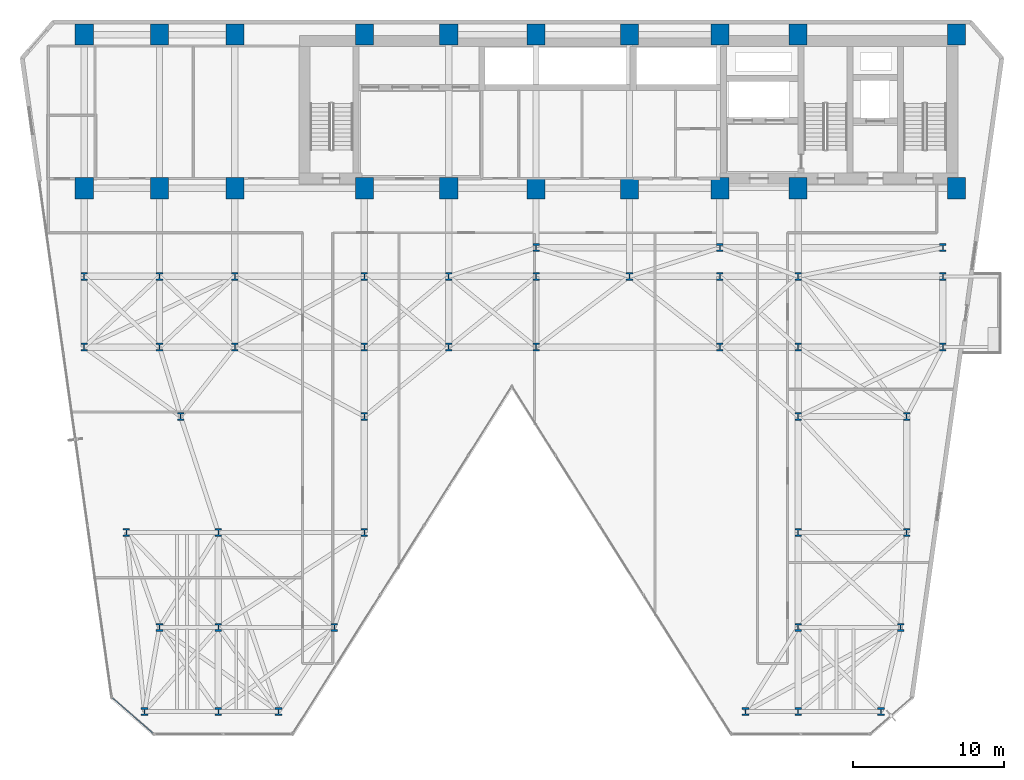
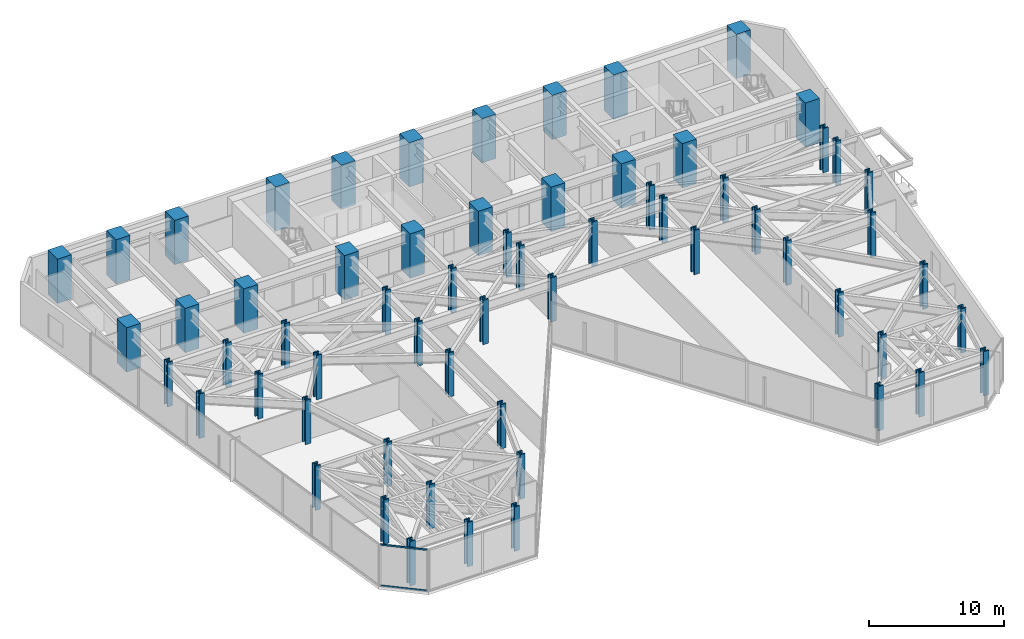
# One storey, part 1 of 25: 62 columns, 2 members, 1 element without a shape of its own.
"""IFC4 building model written with IfcOpenShell, lengths in metres."""

from ifc_helpers import new_model, si_unit, direction, frame, origin, origin_2d, place, context, subcontext, project, spatial, rectangle, hollow_rectangle, i_section, extrude, material, layer, layer_set, material_profile, profile_set, type_object, element, aggregate, save


model = new_model("IFC4")

# Units and contexts
model_context = context("Model", 3, precision=1e-05, world=origin(), true_north=direction((0.0, 1.0)))
body_context = subcontext(model_context, "Body", "Model", "MODEL_VIEW")
ifc_project = project(units=[si_unit("LENGTHUNIT", "METRE"), si_unit("AREAUNIT", "SQUARE_METRE"), si_unit("VOLUMEUNIT", "CUBIC_METRE"), si_unit("PLANEANGLEUNIT", "RADIAN"), si_unit("MASSUNIT", "GRAM", prefix="KILO")], contexts=[model_context])

# Site, building, storey
site_placement = place(None, origin())
site = spatial("IfcSite", under=ifc_project, at=site_placement, CompositionType="ELEMENT")
building_placement = place(site_placement, origin())
building = spatial("IfcBuilding", under=site, at=building_placement, Name="Kravanh Interchange Tower", CompositionType="ELEMENT")
storey_placement = place(building_placement, frame((0.0, 0.0, 49.5)))
storey = spatial("IfcBuildingStorey", under=building, at=storey_placement, Name="L11", CompositionType="ELEMENT", Elevation=49.5)

# Columns
ifc_material_1 = material(Name="Concrete C80/95", Category="concrete")
ifc_material_profile_1 = material_profile(ifc_material_1, rectangle(XDim=1.199951171875, YDim=1.39990234375, at=origin_2d()), Name="RC1200X1400")
ifc_profile_set_1 = profile_set([ifc_material_profile_1], Name="Concrete C80/95")
column_type_1 = type_object("IfcColumnType", Name="Column RC1200X1400 Concrete C80/95", PredefinedType="COLUMN", material=ifc_profile_set_1)
for number, where, z_axis, x_axis, name in (
    (1, (66.5, 47.550048828125, 0.0), (0.0, 0.0, 1.0), (1.0, 0.0, 0.0), "L11 Column CS01"),
    (2, (56.0, 47.550048828125, 0.0), (0.0, 0.0, 1.0), (1.0, 0.0, 0.0), "L11 Column CS02"),
    (3, (66.5, 37.35009765625, 0.0), (0.0, 0.0, 1.0), (1.0, 0.0, 0.0), "L11 Column CS03"),
    (4, (56.0, 37.35009765625, 0.0), (0.0, 0.0, 1.0), (1.0, 0.0, 0.0), "L11 Column CS04"),
    (5, (50.800048828125, 47.550048828125, 0.0), (0.0, 0.0, 1.0), (1.0, 0.0, 0.0), "L11 Column CS05"),
    (6, (50.800048828125, 37.35009765625, 0.0), (0.0, 0.0, 1.0), (1.0, 0.0, 0.0), "L11 Column CS06"),
    (7, (44.800048828125, 37.35009765625, 0.0), (0.0, 0.0, 1.0), (1.0, 0.0, 0.0), "L11 Column CS07"),
    (8, (44.800048828125, 47.550048828125, 0.0), (0.0, 0.0, 1.0), (1.0, 0.0, 0.0), "L11 Column CS08"),
    (9, (38.60009765625, 37.35009765625, 0.0), (0.0, 0.0, 1.0), (1.0, 0.0, 0.0), "L11 Column CS09"),
    (10, (38.60009765625, 47.550048828125, 0.0), (0.0, 0.0, 1.0), (1.0, 0.0, 0.0), "L11 Column CS10"),
    (11, (32.800048828125, 37.35009765625, 0.0), (0.0, 0.0, 1.0), (1.0, 0.0, 0.0), "L11 Column CS11"),
    (12, (32.800048828125, 47.550048828125, 0.0), (0.0, 0.0, 1.0), (1.0, 0.0, 0.0), "L11 Column CS12"),
    (13, (27.199951171875, 37.35009765625, 0.0), (0.0, 0.0, 1.0), (1.0, 0.0, 0.0), "L11 Column CS13"),
    (14, (27.199951171875, 47.550048828125, 0.0), (0.0, 0.0, 1.0), (1.0, 0.0, 0.0), "L11 Column CS14"),
    (15, (18.60009765625, 37.35009765625, 0.0), (0.0, 0.0, 1.0), (1.0, 0.0, 0.0), "L11 Column CS17"),
    (16, (18.60009765625, 47.550048828125, 0.0), (0.0, 0.0, 1.0), (1.0, 0.0, 0.0), "L11 Column CS18"),
    (17, (13.60009765625, 37.35009765625, 0.0), (0.0, 0.0, 1.0), (1.0, 0.0, 0.0), "L11 Column CS19"),
    (18, (13.60009765625, 47.550048828125, 0.0), (0.0, 0.0, 1.0), (1.0, 0.0, 0.0), "L11 Column CS20"),
    (19, (8.60009765625, 37.35009765625, 0.0), (0.0, 0.0, 1.0), (1.0, 0.0, 0.0), "L11 Column CS21"),
    (20, (8.60009765625, 47.550048828125, 0.0), (0.0, 0.0, 1.0), (1.0, 0.0, 0.0), "L11 Column CS22"),
):
    element("IfcColumn", number, at=place(storey_placement, frame(where, z_axis=z_axis, x_axis=x_axis)), inside=storey, type_object=column_type_1, Name=name, PredefinedType="COLUMN", context=body_context, shape_type="SweptSolid", body=[
        extrude(rectangle(XDim=1.199951171875, YDim=1.39990234375, at=origin_2d()), origin(), (0.0, 0.0, 1.0), 4.0),
    ])
ifc_material_2 = material(Name="Structural Steel S450", Category="steel")
ifc_material_profile_2 = material_profile(ifc_material_2, i_section(OverallWidth=0.44189453125, OverallDepth=0.531005859375, WebThickness=0.06591796875, FlangeThickness=0.105712890625, FilletRadius=0.030029296875, at=origin_2d()), Name="W14X605")
ifc_profile_set_2 = profile_set([ifc_material_profile_2], Name="Structural Steel S450")
column_type_2 = type_object("IfcColumnType", Name="Column W14X605 Structural Steel S450", PredefinedType="COLUMN", material=ifc_profile_set_2)
for number, where, z_axis, x_axis, name in (
    (21, (12.60009765625, 2.60009765625, 0.0), (0.0, 0.0, 1.0), (1.0, 0.0, 0.0), "L11 Column CZ1_1"),
    (22, (56.0, 14.5, 0.0), (0.0, 0.0, 1.0), (1.0, 0.0, 0.0), "L11 Column CZ1_10"),
    (23, (63.199951171875, 14.5, 0.0), (0.0, 0.0, 1.0), (1.0, 0.0, 0.0), "L11 Column CZ1_11"),
    (24, (15.0, 22.199951171875, 0.0), (0.0, 0.0, 1.0), (1.0, 0.0, 0.0), "L11 Column CZ1_11B"),
    (25, (27.199951171875, 22.199951171875, 0.0), (0.0, 0.0, 1.0), (1.0, 0.0, 0.0), "L11 Column CZ1_11C"),
    (26, (56.0, 22.199951171875, 0.0), (0.0, 0.0, 1.0), (1.0, 0.0, 0.0), "L11 Column CZ1_11D"),
    (27, (63.199951171875, 22.199951171875, 0.0), (0.0, 0.0, 1.0), (1.0, 0.0, 0.0), "L11 Column CZ1_11E"),
    (28, (8.60009765625, 26.800048828125, 0.0), (0.0, 0.0, 1.0), (1.0, 0.0, 0.0), "L11 Column CZ1_12"),
    (29, (13.60009765625, 26.800048828125, 0.0), (0.0, 0.0, 1.0), (1.0, 0.0, 0.0), "L11 Column CZ1_13"),
    (30, (18.60009765625, 26.800048828125, 0.0), (0.0, 0.0, 1.0), (1.0, 0.0, 0.0), "L11 Column CZ1_14"),
    (31, (27.199951171875, 26.800048828125, 0.0), (0.0, 0.0, 1.0), (1.0, 0.0, 0.0), "L11 Column CZ1_15"),
    (32, (32.800048828125, 26.800048828125, 0.0), (0.0, 0.0, 1.0), (1.0, 0.0, 0.0), "L11 Column CZ1_16"),
    (33, (38.60009765625, 26.800048828125, 0.0), (0.0, 0.0, 1.0), (1.0, 0.0, 0.0), "L11 Column CZ1_16B"),
    (34, (50.800048828125, 26.800048828125, 0.0), (0.0, 0.0, 1.0), (1.0, 0.0, 0.0), "L11 Column CZ1_17"),
    (35, (56.0, 26.800048828125, 0.0), (0.0, 0.0, 1.0), (1.0, 0.0, 0.0), "L11 Column CZ1_18"),
    (36, (65.60009765625, 26.800048828125, 0.0), (0.0, 0.0, 1.0), (1.0, 0.0, 0.0), "L11 Column CZ1_19"),
    (37, (8.60009765625, 31.5, 0.0), (0.0, 0.0, 1.0), (1.0, 0.0, 0.0), "L11 Column CZ1_19B"),
    (38, (13.60009765625, 31.5, 0.0), (0.0, 0.0, 1.0), (1.0, 0.0, 0.0), "L11 Column CZ1_19C"),
    (39, (17.5, 2.60009765625, 0.0), (0.0, 0.0, 1.0), (1.0, 0.0, 0.0), "L11 Column CZ1_2"),
    (40, (18.60009765625, 31.5, 0.0), (0.0, 0.0, 1.0), (1.0, 0.0, 0.0), "L11 Column CZ1_20"),
    (41, (27.199951171875, 31.5, 0.0), (0.0, 0.0, 1.0), (1.0, 0.0, 0.0), "L11 Column CZ1_21"),
    (42, (32.800048828125, 31.5, 0.0), (0.0, 0.0, 1.0), (1.0, 0.0, 0.0), "L11 Column CZ1_22"),
    (43, (38.60009765625, 31.5, 0.0), (0.0, 0.0, 1.0), (1.0, 0.0, 0.0), "L11 Column CZ1_23"),
    (44, (44.800048828125, 31.5, 0.0), (0.0, 0.0, 1.0), (1.0, 0.0, 0.0), "L11 Column CZ1_24"),
    (45, (50.800048828125, 31.5, 0.0), (0.0, 0.0, 1.0), (1.0, 0.0, 0.0), "L11 Column CZ1_25"),
    (46, (56.0, 31.5, 0.0), (0.0, 0.0, 1.0), (1.0, 0.0, 0.0), "L11 Column CZ1_26"),
    (47, (65.60009765625, 31.5, 0.0), (0.0, 0.0, 1.0), (1.0, 0.0, 0.0), "L11 Column CZ1_27"),
    (48, (21.5, 2.60009765625, 0.0), (0.0, 0.0, 1.0), (1.0, 0.0, 0.0), "L11 Column CZ1_3"),
    (49, (52.5, 2.60009765625, 0.0), (0.0, 0.0, 1.0), (1.0, 0.0, 0.0), "L11 Column CZ1_4"),
    (50, (56.0, 2.60009765625, 0.0), (0.0, 0.0, 1.0), (1.0, 0.0, 0.0), "L11 Column CZ1_5"),
    (51, (61.5, 2.60009765625, 0.0), (0.0, 0.0, 1.0), (1.0, 0.0, 0.0), "L11 Column CZ1_5B"),
    (52, (13.60009765625, 8.199951171875, 0.0), (0.0, 0.0, 1.0), (1.0, 0.0, 0.0), "L11 Column CZ1_6"),
    (53, (17.5, 8.199951171875, 0.0), (0.0, 0.0, 1.0), (1.0, 0.0, 0.0), "L11 Column CZ1_6B"),
    (54, (25.199951171875, 8.199951171875, 0.0), (0.0, 0.0, 1.0), (1.0, 0.0, 0.0), "L11 Column CZ1_6C"),
    (55, (56.0, 8.199951171875, 0.0), (0.0, 0.0, 1.0), (1.0, 0.0, 0.0), "L11 Column CZ1_6D"),
    (56, (62.800048828125, 8.199951171875, 0.0), (0.0, 0.0, 1.0), (1.0, 0.0, 0.0), "L11 Column CZ1_6E"),
    (57, (11.39990234375, 14.5, 0.0), (0.0, 0.0, 1.0), (1.0, 0.0, 0.0), "L11 Column CZ1_7"),
    (58, (17.5, 14.5, 0.0), (0.0, 0.0, 1.0), (1.0, 0.0, 0.0), "L11 Column CZ1_7B"),
    (59, (27.199951171875, 14.5, 0.0), (0.0, 0.0, 1.0), (1.0, 0.0, 0.0), "L11 Column CZ1_8"),
    (60, (38.60009765625, 33.39990234375, 0.0), (0.0, 0.0, 1.0), (1.0, 0.0, 0.0), "L11 Column CZ1_M1"),
    (61, (50.800048828125, 33.39990234375, 0.0), (0.0, 0.0, 1.0), (1.0, 0.0, 0.0), "L11 Column CZ1_M2"),
    (62, (65.60009765625, 33.39990234375, 0.0), (0.0, 0.0, 1.0), (1.0, 0.0, 0.0), "L11 Column CZ1_M3"),
):
    element("IfcColumn", number, at=place(storey_placement, frame(where, z_axis=z_axis, x_axis=x_axis)), inside=storey, type_object=column_type_2, Name=name, PredefinedType="COLUMN", context=body_context, shape_type="SweptSolid", body=[
        extrude(i_section(OverallWidth=0.44189453125, OverallDepth=0.531005859375, WebThickness=0.06591796875, FlangeThickness=0.105712890625, FilletRadius=0.030029296875, at=origin_2d()), origin(), (0.0, 0.0, 1.0), 4.0),
    ])

# Curtain wall, members
ifc_material_3 = material(Name="Anodised Bronze Aluminium", Category="aluminium")
ifc_layer = layer(ifc_material_3, 0.179931640625)
ifc_layer_set = layer_set([ifc_layer], Name="Unitised Curtain Wall System CW-Z1 Lower Office")
curtain_wall_type = type_object("IfcCurtainWallType", Name="Unitised Curtain Wall System CW-Z1 Lower Office", PredefinedType="NOTDEFINED", material=ifc_layer_set)
curtain_wall_placement = place(storey_placement, origin())
curtain_wall = element("IfcCurtainWall", 63, at=curtain_wall_placement, inside=storey, type_object=curtain_wall_type, Name="L11 Unitised Curtain Wall CW-L11-07", PredefinedType="NOTDEFINED")
ifc_material_4 = material(Name="Anodised Bronze Aluminium", Category="aluminium")
ifc_material_profile_3 = material_profile(ifc_material_4, hollow_rectangle(XDim=0.06005859375, YDim=0.139892578125, WallThickness=0.00390625, at=origin_2d()), Name="ALU60X140X4")
ifc_profile_set_3 = profile_set([ifc_material_profile_3], Name="Anodised Bronze Aluminium")
member_type = type_object("IfcMemberType", Name="Curtain Wall Transom ALU60X140X4 Bronze", PredefinedType="USERDEFINED", material=ifc_profile_set_3)
member_1_placement = place(storey_placement, frame((13.167724609375, 1.166015625, 0.030029296875), z_axis=(-0.754710815466, 0.656057608004, 0.0), x_axis=(-0.656057608004, -0.754710815466, 0.0)))
member_1 = element("IfcMember", 64, at=member_1_placement, type_object=member_type, Name="CW-Z1 transom 1.1", ObjectType="TRANSOM", PredefinedType="USERDEFINED", context=body_context, shape_type="SweptSolid", body=[
    extrude(hollow_rectangle(XDim=0.06005859375, YDim=0.139892578125, WallThickness=0.00390625, at=origin_2d()), origin(), (0.0, 0.0, 1.0), 3.543701171875),
])
member_2_placement = place(storey_placement, frame((13.167724609375, 1.166015625, 3.7099609375), z_axis=(-0.754710815466, 0.656057608004, 0.0), x_axis=(-0.656057608004, -0.754710815466, 0.0)))
member_2 = element("IfcMember", 65, at=member_2_placement, type_object=member_type, Name="CW-Z1 transom 1.2", ObjectType="TRANSOM", PredefinedType="USERDEFINED", context=body_context, shape_type="SweptSolid", body=[
    extrude(hollow_rectangle(XDim=0.06005859375, YDim=0.139892578125, WallThickness=0.00390625, at=origin_2d()), origin(), (0.0, 0.0, 1.0), 3.543701171875),
])
aggregate(curtain_wall, [member_1, member_2])

save(model, "model.ifc")
